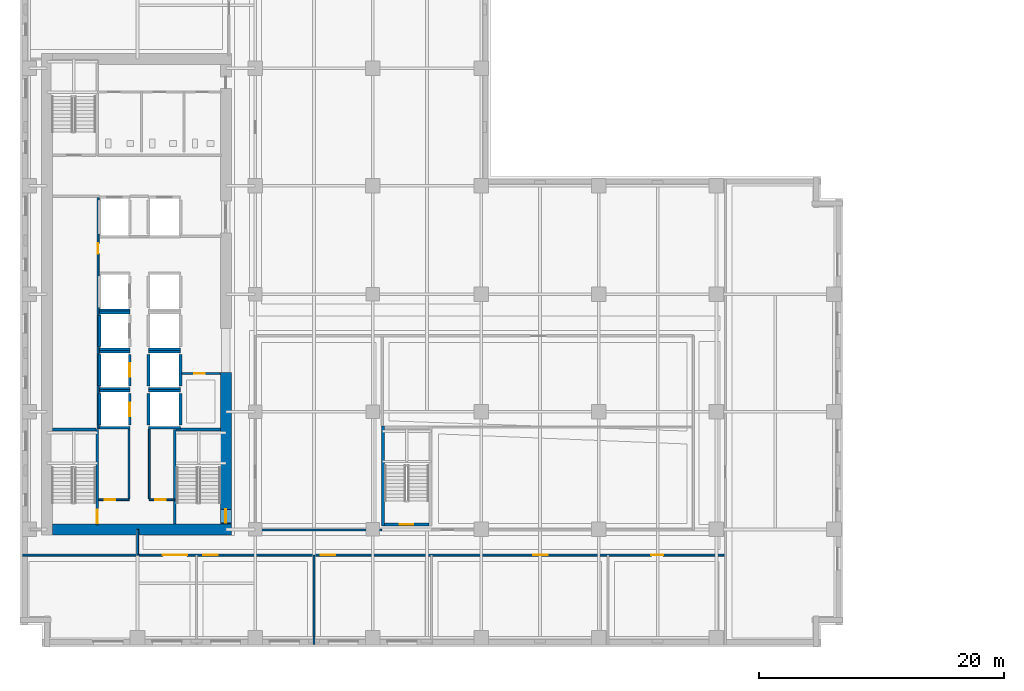
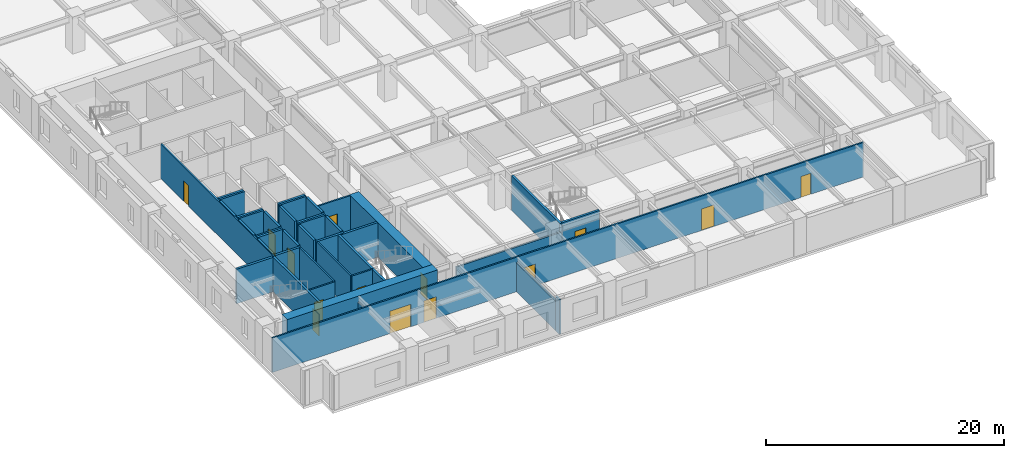
# One storey, part 4 of 14: 40 walls, 14 doors, 14 openings.
"""IFC4 building model written with IfcOpenShell, lengths in metres."""

from ifc_helpers import new_model, si_unit, direction, frame, frame_2d, origin, place, context, subcontext, project, spatial, rectangle, extrude, material, layer, layer_set, type_object, element, fill, save


model = new_model("IFC4")

# Units and contexts
model_context = context("Model", 3, precision=1e-05, world=origin(), true_north=direction((0.0, 1.0)))
body_context = subcontext(model_context, "Body", "Model", "MODEL_VIEW")
ifc_project = project(units=[si_unit("LENGTHUNIT", "METRE"), si_unit("AREAUNIT", "SQUARE_METRE"), si_unit("VOLUMEUNIT", "CUBIC_METRE"), si_unit("PLANEANGLEUNIT", "RADIAN"), si_unit("MASSUNIT", "GRAM", prefix="KILO")], contexts=[model_context])

# Site, building, storey
site_placement = place(None, origin())
site = spatial("IfcSite", under=ifc_project, at=site_placement, CompositionType="ELEMENT")
building_placement = place(site_placement, origin())
building = spatial("IfcBuilding", under=site, at=building_placement, Name="Norrvale University Quadrangle", CompositionType="ELEMENT")
storey_placement = place(building_placement, frame((0.0, 0.0, 24.199951171875)))
storey = spatial("IfcBuildingStorey", under=building, at=storey_placement, Name="L05", CompositionType="ELEMENT", Elevation=24.199951171875)

# Wall
ifc_material_1 = material(Name="Concrete C80/95", Category="concrete")
ifc_layer_1 = layer(ifc_material_1, 0.89990234375, Name="Concrete C80/95")
ifc_layer_set_1 = layer_set([ifc_layer_1], Name="Concrete C80/95")
wall_type_1 = type_object("IfcWallType", Name="Wall Core 900", PredefinedType="SHEAR", material=ifc_layer_set_1)
wall_1_placement = place(storey_placement, frame((2.64990234375, 9.60009765625, 0.0), z_axis=(0.0, 0.0, 1.0), x_axis=(1.0, 0.0, 0.0)))
element("IfcWall", 1, at=wall_1_placement, inside=storey, type_object=wall_type_1, Name="Tower Core Shear Wall L05-S", PredefinedType="SHEAR", context=body_context, shape_type="SweptSolid", body=[
    extrude(rectangle(XDim=14.60009765625, YDim=0.89990234375, at=frame_2d((7.300048828125, 0.0))), origin(), (0.0, 0.0, 1.0), 3.5400390625),
])

# Wall, opening, door
wall_2_placement = place(storey_placement, frame((16.800048828125, 10.050048828125, 0.0), z_axis=(0.0, 0.0, 1.0), x_axis=(0.0, 1.0, 0.0)))
wall_2 = element("IfcWall", 2, at=wall_2_placement, inside=storey, type_object=wall_type_1, Name="Tower Core Shear Wall L05-E1", PredefinedType="SHEAR", context=body_context, shape_type="SweptSolid", body=[
    extrude(rectangle(XDim=12.349853515625, YDim=0.89990234375, at=frame_2d((6.1748046875, 0.0))), origin(), (0.0, 0.0, 1.0), 3.5400390625),
])
opening_1_placement = place(wall_2_placement, frame((0.090087890625, 0.0, 0.0)))
opening_1 = element("IfcOpeningElement", 3, at=opening_1_placement, cuts=wall_2, Name="Opening D02", PredefinedType="OPENING", context=body_context, shape_type="SweptSolid", body=[
    extrude(rectangle(XDim=1.10009765625, YDim=2.199951171875, at=frame_2d((0.550048828125, 1.10009765625))), frame((0.0, 0.4619140625, 0.0), z_axis=(0.0, -1.0, 0.0), x_axis=(1.0, 0.0, 0.0)), (0.0, 0.0, 1.0), 0.923828125),
])
ifc_material_2 = material(Name="Hollow Steel 350W Fire Door", Category="steel")
door_type_1 = type_object("IfcDoorType", Name="Door Stair Exit 1100x2200", OperationType="NOTDEFINED", PredefinedType="DOOR", material=ifc_material_2)
door_1_placement = place(opening_1_placement, origin())
door_1 = element("IfcDoor", 4, at=door_1_placement, inside=storey, type_object=door_type_1, Name="Door Stair Exit 1100x2200 DR-L05-ST03", OperationType="SINGLE_SWING_LEFT", OverallHeight=2.199951171875, OverallWidth=1.10009765625, PredefinedType="DOOR", context=body_context, shape_type="SweptSolid", body=[
    extrude(rectangle(XDim=1.10009765625, YDim=2.199951171875, at=frame_2d((0.550048828125, 1.10009765625))), frame((0.0, 0.02490234375, 0.0), z_axis=(0.0, -1.0, 0.0), x_axis=(1.0, 0.0, 0.0)), (0.0, 0.0, 1.0), 0.050048828125),
])
fill(opening_1, door_1)

ifc_material_3 = material(Name="Fire-Rated Gypsum Stud Partition")
ifc_layer_2 = layer(ifc_material_3, 0.14990234375, Name="Fire-Rated Gypsum Stud Partition")
ifc_layer_set_2 = layer_set([ifc_layer_2], Name="Fire-Rated Gypsum Stud Partition")
wall_type_2 = type_object("IfcWallType", Name="Wall Gypsum Corridor 150", PredefinedType="PARTITIONING", material=ifc_layer_set_2)
wall_3_placement = place(storey_placement, frame((6.419921875, 12.02001953125, 0.0), z_axis=(0.0, 0.0, 1.0), x_axis=(1.0, 0.0, 0.0)))
wall_3 = element("IfcWall", 5, at=wall_3_placement, inside=storey, type_object=wall_type_2, Name="Interior Partition WL-L05-SC-NL", PredefinedType="PARTITIONING", context=body_context, shape_type="SweptSolid", body=[
    extrude(rectangle(XDim=2.47998046875, YDim=0.14990234375, at=frame_2d((1.239990234375, 0.0))), origin(), (0.0, 0.0, 1.0), 3.5400390625),
])
opening_2_placement = place(wall_3_placement, frame((0.5, 0.0, 0.0)))
opening_2 = element("IfcOpeningElement", 6, at=opening_2_placement, cuts=wall_3, Name="Opening D10", PredefinedType="OPENING", context=body_context, shape_type="SweptSolid", body=[
    extrude(rectangle(XDim=0.85009765625, YDim=2.10009765625, at=frame_2d((0.425048828125, 1.050048828125))), frame((0.0, 0.0869140625, 0.0), z_axis=(0.0, -1.0, 0.0), x_axis=(1.0, 0.0, 0.0)), (0.0, 0.0, 1.0), 0.173828125),
])
ifc_material_4 = material(Name="Hollow Steel 350W Riser Fire Door", Category="steel")
door_type_2 = type_object("IfcDoorType", Name="Door Riser 850x2100", OperationType="NOTDEFINED", PredefinedType="DOOR", material=ifc_material_4)
door_2_placement = place(opening_2_placement, origin())
door_2 = element("IfcDoor", 7, at=door_2_placement, inside=storey, type_object=door_type_2, Name="Door Riser 850x2100 DR-L05-ELEC", OperationType="SINGLE_SWING_LEFT", OverallHeight=2.10009765625, OverallWidth=0.85009765625, PredefinedType="DOOR", context=body_context, shape_type="SweptSolid", body=[
    extrude(rectangle(XDim=0.85009765625, YDim=2.10009765625, at=frame_2d((0.425048828125, 1.050048828125))), frame((0.0, 0.02490234375, 0.0), z_axis=(0.0, -1.0, 0.0), x_axis=(1.0, 0.0, 0.0)), (0.0, 0.0, 1.0), 0.050048828125),
])
fill(opening_2, door_2)

wall_4_placement = place(storey_placement, frame((10.550048828125, 12.02001953125, 0.0), z_axis=(0.0, 0.0, 1.0), x_axis=(1.0, 0.0, 0.0)))
wall_4 = element("IfcWall", 8, at=wall_4_placement, inside=storey, type_object=wall_type_2, Name="Interior Partition WL-L05-SC-NR", PredefinedType="PARTITIONING", context=body_context, shape_type="SweptSolid", body=[
    extrude(rectangle(XDim=2.079833984375, YDim=0.14990234375, at=frame_2d((1.0400390625, 0.0))), origin(), (0.0, 0.0, 1.0), 3.5400390625),
])
opening_3_placement = place(wall_4_placement, frame((0.5, 0.0, 0.0)))
opening_3 = element("IfcOpeningElement", 9, at=opening_3_placement, cuts=wall_4, Name="Opening D10", PredefinedType="OPENING", context=body_context, shape_type="SweptSolid", body=[
    extrude(rectangle(XDim=0.85009765625, YDim=2.10009765625, at=frame_2d((0.425048828125, 1.050048828125))), frame((0.0, 0.0869140625, 0.0), z_axis=(0.0, -1.0, 0.0), x_axis=(1.0, 0.0, 0.0)), (0.0, 0.0, 1.0), 0.173828125),
])
door_3_placement = place(opening_3_placement, origin())
door_3 = element("IfcDoor", 10, at=door_3_placement, inside=storey, type_object=door_type_2, Name="Door Riser 850x2100 DR-L05-IDF", OperationType="SINGLE_SWING_RIGHT", OverallHeight=2.10009765625, OverallWidth=0.85009765625, PredefinedType="DOOR", context=body_context, shape_type="SweptSolid", body=[
    extrude(rectangle(XDim=0.85009765625, YDim=2.10009765625, at=frame_2d((0.425048828125, 1.050048828125))), frame((0.0, 0.02490234375, 0.0), z_axis=(0.0, -1.0, 0.0), x_axis=(1.0, 0.0, 0.0)), (0.0, 0.0, 1.0), 0.050048828125),
])
fill(opening_3, door_3)

# Walls
for number, where, z_axis, x_axis, name in (
    (11, (8.89990234375, 12.094970703125, 0.0), (0.0, 0.0, 1.0), (0.0, 1.0, 0.0), "Interior Partition WL-L05-SC-WL"),
    (12, (10.550048828125, 12.094970703125, 0.0), (0.0, 0.0, 1.0), (0.0, 1.0, 0.0), "Interior Partition WL-L05-SC-WR"),
):
    element("IfcWall", number, at=place(storey_placement, frame(where, z_axis=z_axis, x_axis=x_axis)), inside=storey, type_object=wall_type_2, Name=name, PredefinedType="PARTITIONING", context=body_context, shape_type="SweptSolid", body=[
        extrude(rectangle(XDim=5.679931640625, YDim=0.14990234375, at=frame_2d((2.83984375, 0.0))), origin(), (0.0, 0.0, 1.0), 3.5400390625),
    ])

# Wall, opening, door
wall_5_placement = place(storey_placement, frame((13.22509765625, 22.320068359375, 0.0), z_axis=(0.0, 0.0, 1.0), x_axis=(1.0, 0.0, 0.0)))
wall_5 = element("IfcWall", 13, at=wall_5_placement, inside=storey, type_object=wall_type_2, Name="Interior Partition WL-L05-JAN-N", PredefinedType="PARTITIONING", context=body_context, shape_type="SweptSolid", body=[
    extrude(rectangle(XDim=3.119873046875, YDim=0.14990234375, at=frame_2d((1.56005859375, 0.0))), origin(), (0.0, 0.0, 1.0), 3.5400390625),
])
opening_4_placement = place(wall_5_placement, frame((1.0, 0.0, 0.0)))
opening_4 = element("IfcOpeningElement", 14, at=opening_4_placement, cuts=wall_5, Name="Opening D10", PredefinedType="OPENING", context=body_context, shape_type="SweptSolid", body=[
    extrude(rectangle(XDim=0.85009765625, YDim=2.10009765625, at=frame_2d((0.425048828125, 1.050048828125))), frame((0.0, 0.0869140625, 0.0), z_axis=(0.0, -1.0, 0.0), x_axis=(1.0, 0.0, 0.0)), (0.0, 0.0, 1.0), 0.173828125),
])
door_4_placement = place(opening_4_placement, origin())
door_4 = element("IfcDoor", 15, at=door_4_placement, inside=storey, type_object=door_type_2, Name="Door Riser 850x2100 DR-L05-JAN", OperationType="SINGLE_SWING_LEFT", OverallHeight=2.10009765625, OverallWidth=0.85009765625, PredefinedType="DOOR", context=body_context, shape_type="SweptSolid", body=[
    extrude(rectangle(XDim=0.85009765625, YDim=2.10009765625, at=frame_2d((0.425048828125, 1.050048828125))), frame((0.0, 0.02490234375, 0.0), z_axis=(0.0, -1.0, 0.0), x_axis=(1.0, 0.0, 0.0)), (0.0, 0.0, 1.0), 0.050048828125),
])
fill(opening_4, door_4)

wall_6_placement = place(storey_placement, frame((6.3798828125, 17.800048828125, 0.0), z_axis=(0.0, 0.0, 1.0), x_axis=(0.0, 1.0, 0.0)))
wall_6 = element("IfcWall", 16, at=wall_6_placement, inside=storey, type_object=wall_type_2, Name="Interior Partition WL-L05-WME-E", PredefinedType="PARTITIONING", context=body_context, shape_type="SweptSolid", body=[
    extrude(rectangle(XDim=18.97998046875, YDim=0.14990234375, at=frame_2d((9.489990234375, 0.0))), origin(), (0.0, 0.0, 1.0), 3.5400390625),
])
opening_5_placement = place(wall_6_placement, frame((14.300048828125, 0.0, 0.0)))
opening_5 = element("IfcOpeningElement", 17, at=opening_5_placement, cuts=wall_6, Name="Opening D10", PredefinedType="OPENING", context=body_context, shape_type="SweptSolid", body=[
    extrude(rectangle(XDim=0.85009765625, YDim=2.10009765625, at=frame_2d((0.425048828125, 1.050048828125))), frame((0.0, 0.0869140625, 0.0), z_axis=(0.0, -1.0, 0.0), x_axis=(1.0, 0.0, 0.0)), (0.0, 0.0, 1.0), 0.173828125),
])
door_5_placement = place(opening_5_placement, origin())
door_5 = element("IfcDoor", 18, at=door_5_placement, inside=storey, type_object=door_type_2, Name="Door Riser 850x2100 DR-L05-WME", OperationType="SINGLE_SWING_LEFT", OverallHeight=2.10009765625, OverallWidth=0.85009765625, PredefinedType="DOOR", context=body_context, shape_type="SweptSolid", body=[
    extrude(rectangle(XDim=0.85009765625, YDim=2.10009765625, at=frame_2d((0.425048828125, 1.050048828125))), frame((0.0, 0.02490234375, 0.0), z_axis=(0.0, -1.0, 0.0), x_axis=(1.0, 0.0, 0.0)), (0.0, 0.0, 1.0), 0.050048828125),
])
fill(opening_5, door_5)

# Wall
wall_7_placement = place(storey_placement, frame((9.60009765625, 7.5, 0.0), z_axis=(0.0, 0.0, 1.0), x_axis=(0.0, 1.0, 0.0)))
element("IfcWall", 19, at=wall_7_placement, inside=storey, type_object=wall_type_2, Name="Interior Partition WL-L05-CSW-END", PredefinedType="PARTITIONING", context=body_context, shape_type="SweptSolid", body=[
    extrude(rectangle(XDim=2.10009765625, YDim=0.14990234375, at=frame_2d((1.050048828125, 0.0))), origin(), (0.0, 0.0, 1.0), 2.923095703125),
])

# Wall, openings, doors
wall_8_placement = place(storey_placement, frame((0.219970703125, 7.5, 0.0), z_axis=(0.0, 0.0, 1.0), x_axis=(1.0, 0.0, 0.0)))
wall_8 = element("IfcWall", 20, at=wall_8_placement, inside=storey, type_object=wall_type_2, Name="Interior Partition WL-L05-SCW", PredefinedType="PARTITIONING", context=body_context, shape_type="SweptSolid", body=[
    extrude(rectangle(XDim=57.380126953125, YDim=0.14990234375, at=frame_2d((28.68994140625, 0.0))), origin(), (0.0, 0.0, 1.0), 3.5400390625),
])
opening_6_placement = place(wall_8_placement, frame((11.429931640625, 0.0, 0.0)))
opening_6 = element("IfcOpeningElement", 21, at=opening_6_placement, cuts=wall_8, Name="Opening D06", PredefinedType="OPENING", context=body_context, shape_type="SweptSolid", body=[
    extrude(rectangle(XDim=2.0, YDim=2.300048828125, at=frame_2d((1.0, 1.14990234375))), frame((0.0, 0.0869140625, 0.0), z_axis=(0.0, -1.0, 0.0), x_axis=(1.0, 0.0, 0.0)), (0.0, 0.0, 1.0), 0.173828125),
])
opening_7_placement = place(wall_8_placement, frame((14.72998046875, 0.0, 0.0)))
opening_7 = element("IfcOpeningElement", 22, at=opening_7_placement, cuts=wall_8, Name="Opening D05", PredefinedType="OPENING", context=body_context, shape_type="SweptSolid", body=[
    extrude(rectangle(XDim=1.199951171875, YDim=2.199951171875, at=frame_2d((0.60009765625, 1.10009765625))), frame((0.0, 0.0869140625, 0.0), z_axis=(0.0, -1.0, 0.0), x_axis=(1.0, 0.0, 0.0)), (0.0, 0.0, 1.0), 0.173828125),
])
opening_8_placement = place(wall_8_placement, frame((24.330078125, 0.0, 0.0)))
opening_8 = element("IfcOpeningElement", 23, at=opening_8_placement, cuts=wall_8, Name="Opening D05", PredefinedType="OPENING", context=body_context, shape_type="SweptSolid", body=[
    extrude(rectangle(XDim=1.199951171875, YDim=2.199951171875, at=frame_2d((0.60009765625, 1.10009765625))), frame((0.0, 0.0869140625, 0.0), z_axis=(0.0, -1.0, 0.0), x_axis=(1.0, 0.0, 0.0)), (0.0, 0.0, 1.0), 0.173828125),
])
opening_9_placement = place(wall_8_placement, frame((41.679931640625, 0.0, 0.0)))
opening_9 = element("IfcOpeningElement", 24, at=opening_9_placement, cuts=wall_8, Name="Opening D05", PredefinedType="OPENING", context=body_context, shape_type="SweptSolid", body=[
    extrude(rectangle(XDim=1.199951171875, YDim=2.199951171875, at=frame_2d((0.60009765625, 1.10009765625))), frame((0.0, 0.0869140625, 0.0), z_axis=(0.0, -1.0, 0.0), x_axis=(1.0, 0.0, 0.0)), (0.0, 0.0, 1.0), 0.173828125),
])
opening_10_placement = place(wall_8_placement, frame((51.330078125, 0.0, 0.0)))
opening_10 = element("IfcOpeningElement", 25, at=opening_10_placement, cuts=wall_8, Name="Opening D07", PredefinedType="OPENING", context=body_context, shape_type="SweptSolid", body=[
    extrude(rectangle(XDim=0.949951171875, YDim=2.14990234375, at=frame_2d((0.47509765625, 1.074951171875))), frame((0.0, 0.0869140625, 0.0), z_axis=(0.0, -1.0, 0.0), x_axis=(1.0, 0.0, 0.0)), (0.0, 0.0, 1.0), 0.173828125),
])
ifc_material_5 = material(Name="Acoustic Oak Classroom Door", Category="wood")
door_type_3 = type_object("IfcDoorType", Name="Door Classroom 1200x2200", OperationType="NOTDEFINED", PredefinedType="DOOR", material=ifc_material_5)
door_6_placement = place(opening_7_placement, origin())
door_6 = element("IfcDoor", 26, at=door_6_placement, inside=storey, type_object=door_type_3, Name="Door Classroom 1200x2200 DR-L05-S02", OperationType="SINGLE_SWING_RIGHT", OverallHeight=2.199951171875, OverallWidth=1.199951171875, PredefinedType="DOOR", context=body_context, shape_type="SweptSolid", body=[
    extrude(rectangle(XDim=1.199951171875, YDim=2.199951171875, at=frame_2d((0.60009765625, 1.10009765625))), frame((0.0, 0.02490234375, 0.0), z_axis=(0.0, -1.0, 0.0), x_axis=(1.0, 0.0, 0.0)), (0.0, 0.0, 1.0), 0.050048828125),
])
fill(opening_7, door_6)
door_7_placement = place(opening_8_placement, origin())
door_7 = element("IfcDoor", 27, at=door_7_placement, inside=storey, type_object=door_type_3, Name="Door Classroom 1200x2200 DR-L05-S03", OperationType="SINGLE_SWING_LEFT", OverallHeight=2.199951171875, OverallWidth=1.199951171875, PredefinedType="DOOR", context=body_context, shape_type="SweptSolid", body=[
    extrude(rectangle(XDim=1.199951171875, YDim=2.199951171875, at=frame_2d((0.60009765625, 1.10009765625))), frame((0.0, 0.02490234375, 0.0), z_axis=(0.0, -1.0, 0.0), x_axis=(1.0, 0.0, 0.0)), (0.0, 0.0, 1.0), 0.050048828125),
])
fill(opening_8, door_7)
door_8_placement = place(opening_9_placement, origin())
door_8 = element("IfcDoor", 28, at=door_8_placement, inside=storey, type_object=door_type_3, Name="Door Classroom 1200x2200 DR-L05-S04", OperationType="SINGLE_SWING_RIGHT", OverallHeight=2.199951171875, OverallWidth=1.199951171875, PredefinedType="DOOR", context=body_context, shape_type="SweptSolid", body=[
    extrude(rectangle(XDim=1.199951171875, YDim=2.199951171875, at=frame_2d((0.60009765625, 1.10009765625))), frame((0.0, 0.02490234375, 0.0), z_axis=(0.0, -1.0, 0.0), x_axis=(1.0, 0.0, 0.0)), (0.0, 0.0, 1.0), 0.050048828125),
])
fill(opening_9, door_8)
ifc_material_6 = material(Name="Acoustic Oak Double Door", Category="wood")
door_type_4 = type_object("IfcDoorType", Name="Door Lecture Dbl 2000x2300", OperationType="DOUBLE_SWING_LEFT", PredefinedType="DOOR", material=ifc_material_6)
door_9_placement = place(opening_6_placement, origin())
door_9 = element("IfcDoor", 29, at=door_9_placement, inside=storey, type_object=door_type_4, Name="Door Lecture Dbl 2000x2300 DR-L05-S01", OperationType="DOUBLE_SWING_LEFT", OverallHeight=2.300048828125, OverallWidth=2.0, PredefinedType="DOOR", context=body_context, shape_type="SweptSolid", body=[
    extrude(rectangle(XDim=2.0, YDim=2.300048828125, at=frame_2d((1.0, 1.14990234375))), frame((0.0, 0.02490234375, 0.0), z_axis=(0.0, -1.0, 0.0), x_axis=(1.0, 0.0, 0.0)), (0.0, 0.0, 1.0), 0.050048828125),
])
fill(opening_6, door_9)
ifc_material_7 = material(Name="Solid-Core Maple Door", Category="wood")
door_type_5 = type_object("IfcDoorType", Name="Door Office 950x2150", OperationType="NOTDEFINED", PredefinedType="DOOR", material=ifc_material_7)
door_10_placement = place(opening_10_placement, origin())
door_10 = element("IfcDoor", 30, at=door_10_placement, inside=storey, type_object=door_type_5, Name="Door Office 950x2150 DR-L05-S05", OperationType="SINGLE_SWING_LEFT", OverallHeight=2.14990234375, OverallWidth=0.949951171875, PredefinedType="DOOR", context=body_context, shape_type="SweptSolid", body=[
    extrude(rectangle(XDim=0.949951171875, YDim=2.14990234375, at=frame_2d((0.47509765625, 1.074951171875))), frame((0.0, 0.02490234375, 0.0), z_axis=(0.0, -1.0, 0.0), x_axis=(1.0, 0.0, 0.0)), (0.0, 0.0, 1.0), 0.050048828125),
])
fill(opening_10, door_10)

# Walls
wall_9_placement = place(storey_placement, frame((19.280029296875, 9.550048828125, 0.0), z_axis=(0.0, 0.0, 1.0), x_axis=(1.0, 0.0, 0.0)))
element("IfcWall", 31, at=wall_9_placement, inside=storey, type_object=wall_type_2, Name="Interior Partition WL-L05-ISLS1", PredefinedType="PARTITIONING", context=body_context, shape_type="SweptSolid", body=[
    extrude(rectangle(XDim=10.244873046875, YDim=0.14990234375, at=frame_2d((5.12255859375, 0.0))), origin(), (0.0, 0.0, 1.0), 2.923095703125),
])
ifc_material_8 = material(Name="Acoustic Double-Stud Gypsum Partition")
ifc_layer_3 = layer(ifc_material_8, 0.179931640625, Name="Acoustic Double-Stud Gypsum Partition")
ifc_layer_set_3 = layer_set([ifc_layer_3], Name="Acoustic Double-Stud Gypsum Partition")
wall_type_3 = type_object("IfcWallType", Name="Wall Gypsum Lecture 180", PredefinedType="PARTITIONING", material=ifc_layer_set_3)
wall_10_placement = place(storey_placement, frame((24.0, 0.219970703125, 0.0), z_axis=(0.0, 0.0, 1.0), x_axis=(0.0, 1.0, 0.0)))
element("IfcWall", 32, at=wall_10_placement, inside=storey, type_object=wall_type_3, Name="Interior Partition WL-L05-SP02", PredefinedType="PARTITIONING", context=body_context, shape_type="SweptSolid", body=[
    extrude(rectangle(XDim=0.64501953125, YDim=0.179931640625, at=frame_2d((0.322509765625, 0.0))), origin(), (0.0, 0.0, 1.0), 3.5400390625),
])
wall_11_placement = place(storey_placement, frame((24.0, 0.864990234375, 0.0), z_axis=(0.0, 0.0, 1.0), x_axis=(0.0, 1.0, 0.0)))
element("IfcWall", 33, at=wall_11_placement, inside=storey, type_object=wall_type_3, Name="Interior Partition WL-L05-SP02-B2", PredefinedType="PARTITIONING", context=body_context, shape_type="SweptSolid", body=[
    extrude(rectangle(XDim=6.635009765625, YDim=0.179931640625, at=frame_2d((3.3173828125, 0.0))), origin(), (0.0, 0.0, 1.0), 3.007080078125),
])

# Wall, opening, door
ifc_material_9 = material(Name="Concrete Blockwork 20 MPa Fire Shaft", Category="masonry")
ifc_layer_4 = layer(ifc_material_9, 0.219970703125, Name="Concrete Blockwork 20 MPa Fire Shaft")
ifc_layer_set_4 = layer_set([ifc_layer_4], Name="Concrete Blockwork 20 MPa Fire Shaft")
wall_type_4 = type_object("IfcWallType", Name="Wall Shaft 220", PredefinedType="SOLIDWALL", material=ifc_layer_set_4)
wall_12_placement = place(storey_placement, frame((6.31005859375, 9.949951171875, 0.0), z_axis=(0.0, 0.0, 1.0), x_axis=(0.0, 1.0, 0.0)))
wall_12 = element("IfcWall", 34, at=wall_12_placement, inside=storey, type_object=wall_type_4, Name="Stair ST-01 East Shaft Wall L05", PredefinedType="SOLIDWALL", context=body_context, shape_type="SweptSolid", body=[
    extrude(rectangle(XDim=7.81005859375, YDim=0.219970703125, at=frame_2d((3.905029296875, 0.0))), origin(), (0.0, 0.0, 1.0), 3.5400390625),
])
opening_11_placement = place(wall_12_placement, frame((0.139892578125, 0.0, 0.0)))
opening_11 = element("IfcOpeningElement", 35, at=opening_11_placement, cuts=wall_12, Name="Opening D02", PredefinedType="OPENING", context=body_context, shape_type="SweptSolid", body=[
    extrude(rectangle(XDim=1.10009765625, YDim=2.199951171875, at=frame_2d((0.550048828125, 1.10009765625))), frame((0.0, 0.1220703125, 0.0), z_axis=(0.0, -1.0, 0.0), x_axis=(1.0, 0.0, 0.0)), (0.0, 0.0, 1.0), 0.243896484375),
])
door_11_placement = place(opening_11_placement, origin())
door_11 = element("IfcDoor", 36, at=door_11_placement, inside=storey, type_object=door_type_1, Name="Door Stair Exit 1100x2200 DR-L05-ST01", OperationType="SINGLE_SWING_LEFT", OverallHeight=2.199951171875, OverallWidth=1.10009765625, PredefinedType="DOOR", context=body_context, shape_type="SweptSolid", body=[
    extrude(rectangle(XDim=1.10009765625, YDim=2.199951171875, at=frame_2d((0.550048828125, 1.10009765625))), frame((0.0, 0.02490234375, 0.0), z_axis=(0.0, -1.0, 0.0), x_axis=(1.0, 0.0, 0.0)), (0.0, 0.0, 1.0), 0.050048828125),
])
fill(opening_11, door_11)

# Walls
wall_13_placement = place(storey_placement, frame((2.64990234375, 17.760009765625, 0.0), z_axis=(0.0, 0.0, 1.0), x_axis=(1.0, 0.0, 0.0)))
element("IfcWall", 37, at=wall_13_placement, inside=storey, type_object=wall_type_4, Name="Stair ST-01 North Shaft Wall L05", PredefinedType="SOLIDWALL", context=body_context, shape_type="SweptSolid", body=[
    extrude(rectangle(XDim=3.550048828125, YDim=0.219970703125, at=frame_2d((1.77490234375, 0.0))), origin(), (0.0, 0.0, 1.0), 3.5400390625),
])
wall_14_placement = place(storey_placement, frame((12.639892578125, 10.050048828125, 0.0), z_axis=(0.0, 0.0, 1.0), x_axis=(0.0, 1.0, 0.0)))
element("IfcWall", 38, at=wall_14_placement, inside=storey, type_object=wall_type_4, Name="Stair ST-03 West Shaft Wall L05", PredefinedType="SOLIDWALL", context=body_context, shape_type="SweptSolid", body=[
    extrude(rectangle(XDim=7.7099609375, YDim=0.219970703125, at=frame_2d((3.85498046875, 0.0))), origin(), (0.0, 0.0, 1.0), 3.5400390625),
])
wall_15_placement = place(storey_placement, frame((12.75, 17.760009765625, 0.0), z_axis=(0.0, 0.0, 1.0), x_axis=(1.0, 0.0, 0.0)))
element("IfcWall", 39, at=wall_15_placement, inside=storey, type_object=wall_type_4, Name="Stair ST-03 North Shaft Wall L05", PredefinedType="SOLIDWALL", context=body_context, shape_type="SweptSolid", body=[
    extrude(rectangle(XDim=3.60009765625, YDim=0.219970703125, at=frame_2d((1.800048828125, 0.0))), origin(), (0.0, 0.0, 1.0), 3.5400390625),
])

# Wall, opening, door
wall_16_placement = place(storey_placement, frame((29.75, 9.989990234375, 0.0), z_axis=(0.0, 0.0, 1.0), x_axis=(1.0, 0.0, 0.0)))
wall_16 = element("IfcWall", 40, at=wall_16_placement, inside=storey, type_object=wall_type_4, Name="Stair ST-04 South Shaft Wall L05", PredefinedType="SOLIDWALL", context=body_context, shape_type="SweptSolid", body=[
    extrude(rectangle(XDim=3.64990234375, YDim=0.219970703125, at=frame_2d((1.824951171875, 0.0))), origin(), (0.0, 0.0, 1.0), 3.5400390625),
])
opening_12_placement = place(wall_16_placement, frame((1.239990234375, 0.0, 0.0)))
opening_12 = element("IfcOpeningElement", 41, at=opening_12_placement, cuts=wall_16, Name="Opening D02", PredefinedType="OPENING", context=body_context, shape_type="SweptSolid", body=[
    extrude(rectangle(XDim=1.10009765625, YDim=2.199951171875, at=frame_2d((0.550048828125, 1.10009765625))), frame((0.0, 0.1220703125, 0.0), z_axis=(0.0, -1.0, 0.0), x_axis=(1.0, 0.0, 0.0)), (0.0, 0.0, 1.0), 0.243896484375),
])
door_12_placement = place(opening_12_placement, origin())
door_12 = element("IfcDoor", 42, at=door_12_placement, inside=storey, type_object=door_type_1, Name="Door Stair Exit 1100x2200 DR-L05-ST04", OperationType="SINGLE_SWING_LEFT", OverallHeight=2.199951171875, OverallWidth=1.10009765625, PredefinedType="DOOR", context=body_context, shape_type="SweptSolid", body=[
    extrude(rectangle(XDim=1.10009765625, YDim=2.199951171875, at=frame_2d((0.550048828125, 1.10009765625))), frame((0.0, 0.02490234375, 0.0), z_axis=(0.0, -1.0, 0.0), x_axis=(1.0, 0.0, 0.0)), (0.0, 0.0, 1.0), 0.050048828125),
])
fill(opening_12, door_12)

# Walls
wall_17_placement = place(storey_placement, frame((29.639892578125, 9.8798828125, 0.0), z_axis=(0.0, 0.0, 1.0), x_axis=(0.0, 1.0, 0.0)))
element("IfcWall", 43, at=wall_17_placement, inside=storey, type_object=wall_type_4, Name="Stair ST-04 West Shaft Wall L05", PredefinedType="SOLIDWALL", context=body_context, shape_type="SweptSolid", body=[
    extrude(rectangle(XDim=8.14013671875, YDim=0.219970703125, at=frame_2d((4.070068359375, 0.0))), origin(), (0.0, 0.0, 1.0), 3.5400390625),
])
wall_18_placement = place(storey_placement, frame((6.489990234375, 18.110107421875, 0.0), z_axis=(0.0, 0.0, 1.0), x_axis=(0.0, 1.0, 0.0)))
element("IfcWall", 44, at=wall_18_placement, inside=storey, type_object=wall_type_4, Name="Hoistway PL-01 West Wall L05", PredefinedType="SOLIDWALL", context=body_context, shape_type="SweptSolid", body=[
    extrude(rectangle(XDim=2.579833984375, YDim=0.219970703125, at=frame_2d((1.2900390625, 0.0))), origin(), (0.0, 0.0, 1.0), 3.5400390625),
])

# Wall, opening, door
wall_19_placement = place(storey_placement, frame((8.9599609375, 18.110107421875, 0.0), z_axis=(0.0, 0.0, 1.0), x_axis=(0.0, 1.0, 0.0)))
wall_19 = element("IfcWall", 45, at=wall_19_placement, inside=storey, type_object=wall_type_4, Name="Hoistway PL-01 East Wall L05", PredefinedType="SOLIDWALL", context=body_context, shape_type="SweptSolid", body=[
    extrude(rectangle(XDim=2.579833984375, YDim=0.219970703125, at=frame_2d((1.2900390625, 0.0))), origin(), (0.0, 0.0, 1.0), 3.5400390625),
])
opening_13_placement = place(wall_19_placement, frame((0.739990234375, 0.0, 0.0)))
opening_13 = element("IfcOpeningElement", 46, at=opening_13_placement, cuts=wall_19, Name="Opening LD1", PredefinedType="OPENING", context=body_context, shape_type="SweptSolid", body=[
    extrude(rectangle(XDim=1.10009765625, YDim=2.199951171875, at=frame_2d((0.550048828125, 1.10009765625))), frame((0.0, 0.1220703125, 0.0), z_axis=(0.0, -1.0, 0.0), x_axis=(1.0, 0.0, 0.0)), (0.0, 0.0, 1.0), 0.243896484375),
])
ifc_material_10 = material(Name="Stainless Steel 316L Lift Landing Door", Category="steel")
door_type_6 = type_object("IfcDoorType", Name="Door Lift Landing 1100x2200", OperationType="DOUBLE_DOOR_SLIDING", PredefinedType="DOOR", material=ifc_material_10)
door_13_placement = place(opening_13_placement, origin())
door_13 = element("IfcDoor", 47, at=door_13_placement, inside=storey, type_object=door_type_6, Name="Elevator Landing Door DR-L05-PL-01", OperationType="DOUBLE_DOOR_SLIDING", OverallHeight=2.199951171875, OverallWidth=1.10009765625, PredefinedType="DOOR", context=body_context, shape_type="SweptSolid", body=[
    extrude(rectangle(XDim=1.10009765625, YDim=2.199951171875, at=frame_2d((0.550048828125, 1.10009765625))), frame((0.0, 0.02490234375, 0.0), z_axis=(0.0, -1.0, 0.0), x_axis=(1.0, 0.0, 0.0)), (0.0, 0.0, 1.0), 0.050048828125),
])
fill(opening_13, door_13)

# Walls
for number, where, z_axis, x_axis, name in (
    (48, (6.489990234375, 17.889892578125, 0.0), (0.0, 0.0, 1.0), (1.0, 0.0, 0.0), "Hoistway PL-01 South Wall L05"),
    (49, (6.489990234375, 20.909912109375, 0.0), (0.0, 0.0, 1.0), (1.0, 0.0, 0.0), "Hoistway PL-01 North Wall L05"),
):
    element("IfcWall", number, at=place(storey_placement, frame(where, z_axis=z_axis, x_axis=x_axis)), inside=storey, type_object=wall_type_4, Name=name, PredefinedType="SOLIDWALL", context=body_context, shape_type="SweptSolid", body=[
        extrude(rectangle(XDim=2.469970703125, YDim=0.219970703125, at=frame_2d((1.23486328125, 0.0))), origin(), (0.0, 0.0, 1.0), 3.5400390625),
    ])
wall_20_placement = place(storey_placement, frame((6.489990234375, 21.31005859375, 0.0), z_axis=(0.0, 0.0, 1.0), x_axis=(0.0, 1.0, 0.0)))
element("IfcWall", 50, at=wall_20_placement, inside=storey, type_object=wall_type_4, Name="Hoistway PL-02 West Wall L05", PredefinedType="SOLIDWALL", context=body_context, shape_type="SweptSolid", body=[
    extrude(rectangle(XDim=2.579833984375, YDim=0.219970703125, at=frame_2d((1.2900390625, 0.0))), origin(), (0.0, 0.0, 1.0), 3.5400390625),
])

# Wall, opening, door
wall_21_placement = place(storey_placement, frame((8.9599609375, 21.31005859375, 0.0), z_axis=(0.0, 0.0, 1.0), x_axis=(0.0, 1.0, 0.0)))
wall_21 = element("IfcWall", 51, at=wall_21_placement, inside=storey, type_object=wall_type_4, Name="Hoistway PL-02 East Wall L05", PredefinedType="SOLIDWALL", context=body_context, shape_type="SweptSolid", body=[
    extrude(rectangle(XDim=2.579833984375, YDim=0.219970703125, at=frame_2d((1.2900390625, 0.0))), origin(), (0.0, 0.0, 1.0), 3.5400390625),
])
opening_14_placement = place(wall_21_placement, frame((0.739990234375, 0.0, 0.0)))
opening_14 = element("IfcOpeningElement", 52, at=opening_14_placement, cuts=wall_21, Name="Opening LD1", PredefinedType="OPENING", context=body_context, shape_type="SweptSolid", body=[
    extrude(rectangle(XDim=1.10009765625, YDim=2.199951171875, at=frame_2d((0.550048828125, 1.10009765625))), frame((0.0, 0.1220703125, 0.0), z_axis=(0.0, -1.0, 0.0), x_axis=(1.0, 0.0, 0.0)), (0.0, 0.0, 1.0), 0.243896484375),
])
door_14_placement = place(opening_14_placement, origin())
door_14 = element("IfcDoor", 53, at=door_14_placement, inside=storey, type_object=door_type_6, Name="Elevator Landing Door DR-L05-PL-02", OperationType="DOUBLE_DOOR_SLIDING", OverallHeight=2.199951171875, OverallWidth=1.10009765625, PredefinedType="DOOR", context=body_context, shape_type="SweptSolid", body=[
    extrude(rectangle(XDim=1.10009765625, YDim=2.199951171875, at=frame_2d((0.550048828125, 1.10009765625))), frame((0.0, 0.02490234375, 0.0), z_axis=(0.0, -1.0, 0.0), x_axis=(1.0, 0.0, 0.0)), (0.0, 0.0, 1.0), 0.050048828125),
])
fill(opening_14, door_14)

# Walls
for number, where, z_axis, x_axis, name in (
    (54, (6.489990234375, 21.090087890625, 0.0), (0.0, 0.0, 1.0), (1.0, 0.0, 0.0), "Hoistway PL-02 South Wall L05"),
    (55, (6.489990234375, 24.110107421875, 0.0), (0.0, 0.0, 1.0), (1.0, 0.0, 0.0), "Hoistway PL-02 North Wall L05"),
):
    element("IfcWall", number, at=place(storey_placement, frame(where, z_axis=z_axis, x_axis=x_axis)), inside=storey, type_object=wall_type_4, Name=name, PredefinedType="SOLIDWALL", context=body_context, shape_type="SweptSolid", body=[
        extrude(rectangle(XDim=2.469970703125, YDim=0.219970703125, at=frame_2d((1.23486328125, 0.0))), origin(), (0.0, 0.0, 1.0), 3.5400390625),
    ])
wall_22_placement = place(storey_placement, frame((6.489990234375, 24.510009765625, 0.0), z_axis=(0.0, 0.0, 1.0), x_axis=(0.0, 1.0, 0.0)))
element("IfcWall", 56, at=wall_22_placement, inside=storey, type_object=wall_type_4, Name="Hoistway PL-03 West Wall L05", PredefinedType="SOLIDWALL", context=body_context, shape_type="SweptSolid", body=[
    extrude(rectangle(XDim=2.580078125, YDim=0.219970703125, at=frame_2d((1.2900390625, 0.0))), origin(), (0.0, 0.0, 1.0), 3.5400390625),
])
for number, where, z_axis, x_axis, name in (
    (57, (6.489990234375, 24.2900390625, 0.0), (0.0, 0.0, 1.0), (1.0, 0.0, 0.0), "Hoistway PL-03 South Wall L05"),
    (58, (6.489990234375, 27.31005859375, 0.0), (0.0, 0.0, 1.0), (1.0, 0.0, 0.0), "Hoistway PL-03 North Wall L05"),
    (59, (6.489990234375, 27.489990234375, 0.0), (0.0, 0.0, 1.0), (1.0, 0.0, 0.0), "Hoistway PL-04 South Wall L05"),
):
    element("IfcWall", number, at=place(storey_placement, frame(where, z_axis=z_axis, x_axis=x_axis)), inside=storey, type_object=wall_type_4, Name=name, PredefinedType="SOLIDWALL", context=body_context, shape_type="SweptSolid", body=[
        extrude(rectangle(XDim=2.469970703125, YDim=0.219970703125, at=frame_2d((1.23486328125, 0.0))), origin(), (0.0, 0.0, 1.0), 3.5400390625),
    ])
for number, where, z_axis, x_axis, name in (
    (60, (10.489990234375, 18.110107421875, 0.0), (0.0, 0.0, 1.0), (0.0, 1.0, 0.0), "Hoistway PL-05 West Wall L05"),
    (61, (13.110107421875, 18.110107421875, 0.0), (0.0, 0.0, 1.0), (0.0, 1.0, 0.0), "Hoistway PL-05 East Wall L05"),
):
    element("IfcWall", number, at=place(storey_placement, frame(where, z_axis=z_axis, x_axis=x_axis)), inside=storey, type_object=wall_type_4, Name=name, PredefinedType="SOLIDWALL", context=body_context, shape_type="SweptSolid", body=[
        extrude(rectangle(XDim=2.579833984375, YDim=0.219970703125, at=frame_2d((1.2900390625, 0.0))), origin(), (0.0, 0.0, 1.0), 3.5400390625),
    ])
for number, where, z_axis, x_axis, name in (
    (62, (10.489990234375, 17.889892578125, 0.0), (0.0, 0.0, 1.0), (1.0, 0.0, 0.0), "Hoistway PL-05 South Wall L05"),
    (63, (10.489990234375, 20.909912109375, 0.0), (0.0, 0.0, 1.0), (1.0, 0.0, 0.0), "Hoistway PL-05 North Wall L05"),
):
    element("IfcWall", number, at=place(storey_placement, frame(where, z_axis=z_axis, x_axis=x_axis)), inside=storey, type_object=wall_type_4, Name=name, PredefinedType="SOLIDWALL", context=body_context, shape_type="SweptSolid", body=[
        extrude(rectangle(XDim=2.6201171875, YDim=0.219970703125, at=frame_2d((1.31005859375, 0.0))), origin(), (0.0, 0.0, 1.0), 3.5400390625),
    ])
for number, where, z_axis, x_axis, name in (
    (64, (10.489990234375, 21.31005859375, 0.0), (0.0, 0.0, 1.0), (0.0, 1.0, 0.0), "Hoistway PL-06 West Wall L05"),
    (65, (13.110107421875, 21.31005859375, 0.0), (0.0, 0.0, 1.0), (0.0, 1.0, 0.0), "Hoistway PL-06 East Wall L05"),
):
    element("IfcWall", number, at=place(storey_placement, frame(where, z_axis=z_axis, x_axis=x_axis)), inside=storey, type_object=wall_type_4, Name=name, PredefinedType="SOLIDWALL", context=body_context, shape_type="SweptSolid", body=[
        extrude(rectangle(XDim=2.579833984375, YDim=0.219970703125, at=frame_2d((1.2900390625, 0.0))), origin(), (0.0, 0.0, 1.0), 3.5400390625),
    ])
for number, where, z_axis, x_axis, name in (
    (66, (10.489990234375, 21.090087890625, 0.0), (0.0, 0.0, 1.0), (1.0, 0.0, 0.0), "Hoistway PL-06 South Wall L05"),
    (67, (10.489990234375, 24.110107421875, 0.0), (0.0, 0.0, 1.0), (1.0, 0.0, 0.0), "Hoistway PL-06 North Wall L05"),
    (68, (10.489990234375, 24.2900390625, 0.0), (0.0, 0.0, 1.0), (1.0, 0.0, 0.0), "Hoistway PL-07 South Wall L05"),
):
    element("IfcWall", number, at=place(storey_placement, frame(where, z_axis=z_axis, x_axis=x_axis)), inside=storey, type_object=wall_type_4, Name=name, PredefinedType="SOLIDWALL", context=body_context, shape_type="SweptSolid", body=[
        extrude(rectangle(XDim=2.6201171875, YDim=0.219970703125, at=frame_2d((1.31005859375, 0.0))), origin(), (0.0, 0.0, 1.0), 3.5400390625),
    ])

save(model, "model.ifc")
